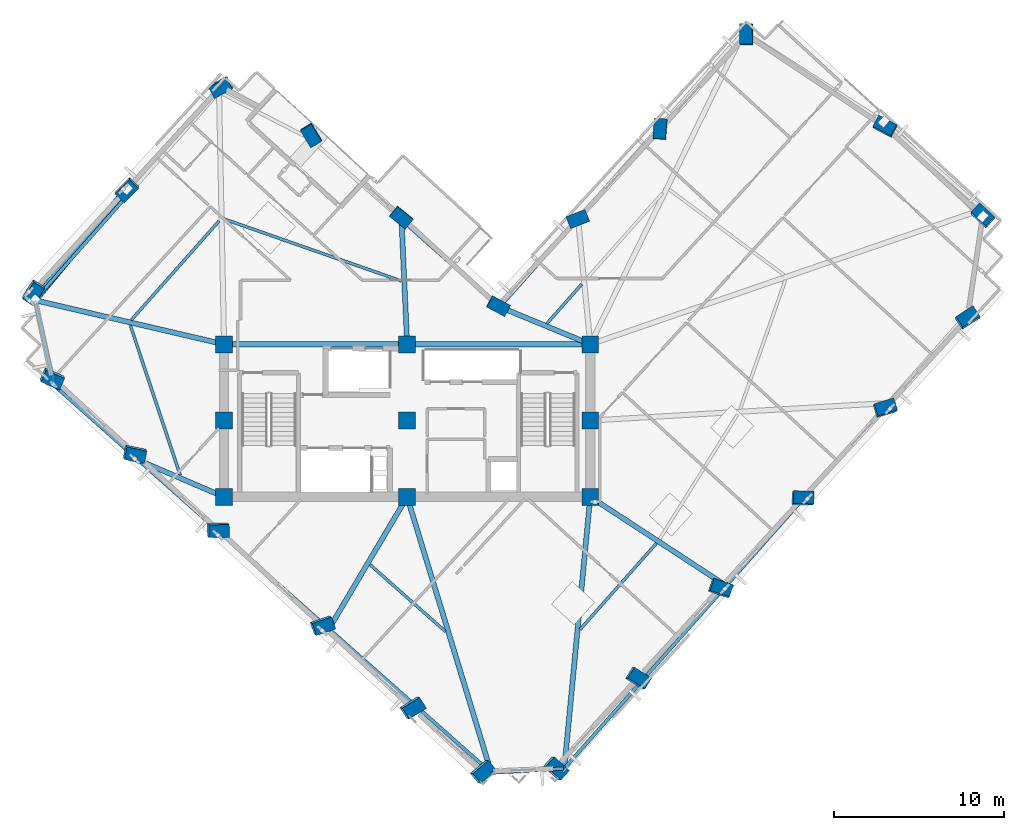
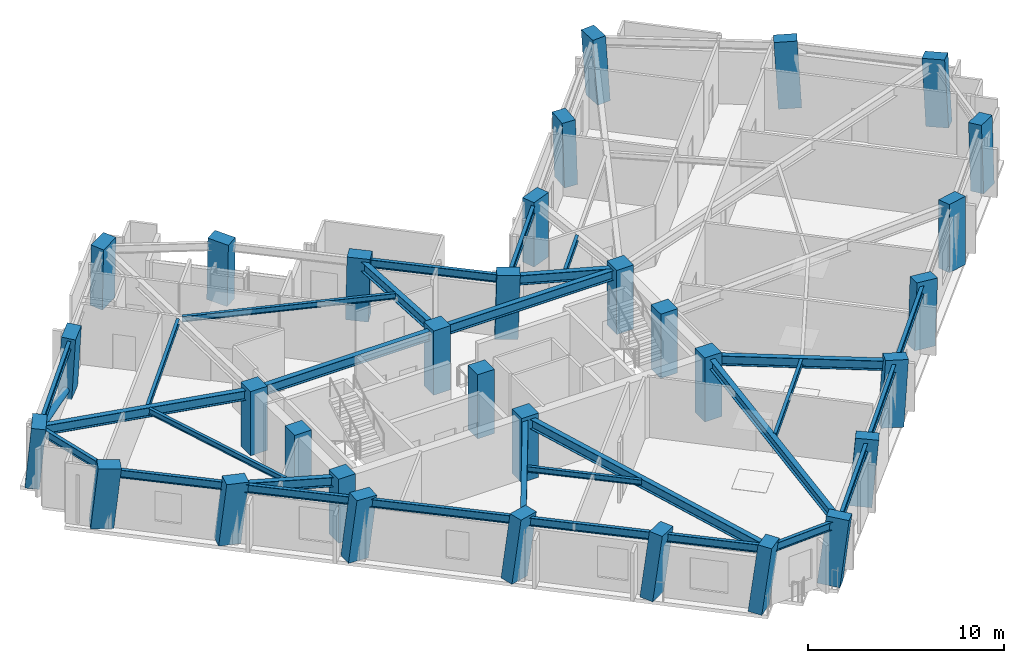
# One storey, part 1 of 12: 32 columns, 29 beams, 1 member.
"""IFC4 building model written with IfcOpenShell, lengths in metres."""

from ifc_helpers import new_model, si_unit, direction, frame, origin, origin_2d, place, context, subcontext, project, spatial, rectangle, hollow_circle, i_section, extrude, material, material_profile, profile_set, type_object, element, save


model = new_model("IFC4")

# Units and contexts
model_context = context("Model", 3, precision=1e-05, world=origin(), true_north=direction((0.0, 1.0)))
body_context = subcontext(model_context, "Body", "Model", "MODEL_VIEW")
ifc_project = project(units=[si_unit("LENGTHUNIT", "METRE"), si_unit("AREAUNIT", "SQUARE_METRE"), si_unit("VOLUMEUNIT", "CUBIC_METRE"), si_unit("PLANEANGLEUNIT", "RADIAN"), si_unit("MASSUNIT", "GRAM", prefix="KILO")], contexts=[model_context])

# Site, building, storey
site_placement = place(None, origin())
site = spatial("IfcSite", under=ifc_project, at=site_placement, CompositionType="ELEMENT")
building_placement = place(site_placement, origin())
building = spatial("IfcBuilding", under=site, at=building_placement, Name="Gaonmaruhae Medical Tower", CompositionType="ELEMENT")
storey_placement = place(building_placement, frame((0.0, 0.0, 227.199951171875)))
storey = spatial("IfcBuildingStorey", under=building, at=storey_placement, Name="L54", CompositionType="ELEMENT", Elevation=227.199951171875)

# Columns
ifc_material_1 = material(Name="Concrete C50/60", Category="concrete")
ifc_material_profile_1 = material_profile(ifc_material_1, rectangle(XDim=1.0, YDim=1.0, at=origin_2d()), Name="RC-1000x1000")
ifc_profile_set_1 = profile_set([ifc_material_profile_1], Name="Concrete C50/60")
column_type_1 = type_object("IfcColumnType", Name="CC-05 Zone 4 Core Column (RC-1000x1000)", PredefinedType="COLUMN", material=ifc_profile_set_1)
for number, where, z_axis, x_axis, name in (
    (1, (14.0, 7.800048828125, 0.0), (0.0, 0.0, 1.0), (1.0, 0.0, 0.0), "L54 Plumb Core Column CC11"),
    (2, (14.0, 12.300048828125, 0.0), (0.0, 0.0, 1.0), (1.0, 0.0, 0.0), "L54 Plumb Core Column CC12"),
    (3, (14.0, 16.800048828125, 0.0), (0.0, 0.0, 1.0), (1.0, 0.0, 0.0), "L54 Plumb Core Column CC13"),
    (4, (24.800048828125, 7.800048828125, 0.0), (0.0, 0.0, 1.0), (1.0, 0.0, 0.0), "L54 Plumb Core Column CC21"),
    (5, (24.800048828125, 12.300048828125, 0.0), (0.0, 0.0, 1.0), (1.0, 0.0, 0.0), "L54 Plumb Core Column CC22"),
    (6, (24.800048828125, 16.800048828125, 0.0), (0.0, 0.0, 1.0), (1.0, 0.0, 0.0), "L54 Plumb Core Column CC23"),
    (7, (35.60009765625, 7.800048828125, 0.0), (0.0, 0.0, 1.0), (1.0, 0.0, 0.0), "L54 Plumb Core Column CC31"),
    (8, (35.60009765625, 12.300048828125, 0.0), (0.0, 0.0, 1.0), (1.0, 0.0, 0.0), "L54 Plumb Core Column CC32"),
    (9, (35.60009765625, 16.800048828125, 0.0), (0.0, 0.0, 1.0), (1.0, 0.0, 0.0), "L54 Plumb Core Column CC33"),
):
    element("IfcColumn", number, at=place(storey_placement, frame(where, z_axis=z_axis, x_axis=x_axis)), inside=storey, type_object=column_type_1, Name=name, PredefinedType="COLUMN", context=body_context, shape_type="SweptSolid", body=[
        extrude(rectangle(XDim=1.0, YDim=1.0, at=origin_2d()), origin(), (0.0, 0.0, 1.0), 4.0),
    ])
ifc_material_profile_2 = material_profile(ifc_material_1, rectangle(XDim=1.199951171875, YDim=0.75, at=origin_2d()), Name="RC-1200x750")
ifc_profile_set_2 = profile_set([ifc_material_profile_2], Name="Concrete C50/60")
column_type_2 = type_object("IfcColumnType", Name="TC-03 Upper Raking Tube Pier Column (RC-1200x750)", PredefinedType="COLUMN", material=ifc_profile_set_2)
column_1_placement = place(storey_placement, frame((33.520263671875, -8.221435546875, 0.001953125), z_axis=(0.135639834662, 0.000786844199, 0.990757899857), x_axis=(-0.734370076082, 0.671341507419, 0.10000585869)))
element("IfcColumn", 10, at=column_1_placement, inside=storey, type_object=column_type_2, Name="L54 Perimeter Tube Column S01", PredefinedType="COLUMN", context=body_context, shape_type="SweptSolid", body=[
    extrude(rectangle(XDim=1.199951171875, YDim=0.75, at=origin_2d()), origin(), (0.0, 0.0, 1.0), 4.03369140625),
])
column_2_placement = place(storey_placement, frame((38.384521484375, -2.9130859375, 0.001953125), z_axis=(0.113897205818, 0.020631353212, 0.993278296235), x_axis=(-0.841011894352, 0.534243403576, 0.085340373174)))
element("IfcColumn", 11, at=column_2_placement, inside=storey, type_object=column_type_2, Name="L54 Perimeter Tube Column S02", PredefinedType="COLUMN", context=body_context, shape_type="SweptSolid", body=[
    extrude(rectangle(XDim=1.199951171875, YDim=0.75, at=origin_2d()), origin(), (0.0, 0.0, 1.0), 4.0234375),
])
column_3_placement = place(storey_placement, frame((43.248779296875, 2.3955078125, 0.001953125), z_axis=(0.092023085665, 0.040541214094, 0.994931234641), x_axis=(-0.943656668386, 0.322514372783, 0.074138866717)))
element("IfcColumn", 12, at=column_3_placement, inside=storey, type_object=column_type_2, Name="L54 Perimeter Tube Column S03", PredefinedType="COLUMN", context=body_context, shape_type="SweptSolid", body=[
    extrude(rectangle(XDim=1.199951171875, YDim=0.75, at=origin_2d()), origin(), (0.0, 0.0, 1.0), 4.0166015625),
])
column_4_placement = place(storey_placement, frame((48.11279296875, 7.703857421875, 0.001953125), z_axis=(0.070074846403, 0.060463886566, 0.995707604833), x_axis=(-0.997158195754, 0.031922497076, 0.068238455582)))
element("IfcColumn", 13, at=column_4_placement, inside=storey, type_object=column_type_2, Name="L54 Perimeter Tube Column S04", PredefinedType="COLUMN", context=body_context, shape_type="SweptSolid", body=[
    extrude(rectangle(XDim=1.199951171875, YDim=0.75, at=origin_2d()), origin(), (0.0, 0.0, 1.0), 4.013671875),
])
column_5_placement = place(storey_placement, frame((52.97705078125, 13.01220703125, 0.001953125), z_axis=(0.047989081714, 0.080407561502, 0.995606183232), x_axis=(-0.956311257313, -0.284081872205, 0.069038170754)))
element("IfcColumn", 14, at=column_5_placement, inside=storey, type_object=column_type_2, Name="L54 Perimeter Tube Column S05", PredefinedType="COLUMN", context=body_context, shape_type="SweptSolid", body=[
    extrude(rectangle(XDim=1.199951171875, YDim=0.75, at=origin_2d()), origin(), (0.0, 0.0, 1.0), 4.013916015625),
])
column_6_placement = place(storey_placement, frame((57.84130859375, 18.32080078125, 0.001953125), z_axis=(0.025885225997, 0.100138151274, 0.994636770753), x_axis=(-0.837618446054, -0.540906931878, 0.076256343195)))
element("IfcColumn", 15, at=column_6_placement, inside=storey, type_object=column_type_2, Name="L54 Perimeter Tube Column S06", PredefinedType="COLUMN", context=body_context, shape_type="SweptSolid", body=[
    extrude(rectangle(XDim=1.199951171875, YDim=0.75, at=origin_2d()), origin(), (0.0, 0.0, 1.0), 4.017822265625),
])
column_7_placement = place(storey_placement, frame((58.746337890625, 24.341064453125, 0.001953125), z_axis=(0.001032953055, 0.103659877118, 0.994612267612), x_axis=(0.730545196332, -0.679263427848, 0.07003507481)))
element("IfcColumn", 16, at=column_7_placement, inside=storey, type_object=column_type_2, Name="L54 Perimeter Tube Column E01", PredefinedType="COLUMN", context=body_context, shape_type="SweptSolid", body=[
    extrude(rectangle(XDim=1.199951171875, YDim=0.75, at=origin_2d()), origin(), (0.0, 0.0, 1.0), 4.01806640625),
])
column_8_placement = place(storey_placement, frame((52.995361328125, 29.610595703125, 0.001953125), z_axis=(-0.020517462965, 0.079938958081, 0.996588579452), x_axis=(0.881513138055, -0.468855845143, 0.05575646968)))
element("IfcColumn", 17, at=column_8_placement, inside=storey, type_object=column_type_2, Name="L54 Perimeter Tube Column E02", PredefinedType="COLUMN", context=body_context, shape_type="SweptSolid", body=[
    extrude(rectangle(XDim=1.199951171875, YDim=0.75, at=origin_2d()), origin(), (0.0, 0.0, 1.0), 4.010009765625),
])
column_9_placement = place(storey_placement, frame((44.830322265625, 35.057861328125, 0.001953125), z_axis=(-0.042801019113, 0.046093405199, 0.998019774734), x_axis=(0.005619625487, -0.9989082731, 0.046375443311)))
element("IfcColumn", 18, at=column_9_placement, inside=storey, type_object=column_type_2, Name="L54 Perimeter Tube Column E03", PredefinedType="COLUMN", context=body_context, shape_type="SweptSolid", body=[
    extrude(rectangle(XDim=1.199951171875, YDim=0.75, at=origin_2d()), origin(), (0.0, 0.0, 1.0), 4.004150390625),
])
column_10_placement = place(storey_placement, frame((39.729736328125, 29.4912109375, 0.001953125), z_axis=(-0.019661240115, 0.02527873729, 0.999487078995), x_axis=(-0.080866298799, -0.996445261774, 0.023611056886)))
element("IfcColumn", 19, at=column_10_placement, inside=storey, type_object=column_type_2, Name="L54 Perimeter Tube Column EN01", PredefinedType="COLUMN", context=body_context, shape_type="SweptSolid", body=[
    extrude(rectangle(XDim=1.199951171875, YDim=0.75, at=origin_2d()), origin(), (0.0, 0.0, 1.0), 3.998291015625),
])
column_11_placement = place(storey_placement, frame((34.865478515625, 24.182861328125, 0.001953125), z_axis=(0.002565781789, 0.005253743664, 0.999982907325), x_axis=(-0.930601204641, -0.366009310919, 0.004310712404)))
element("IfcColumn", 20, at=column_11_placement, inside=storey, type_object=column_type_2, Name="L54 Perimeter Tube Column EN02", PredefinedType="COLUMN", context=body_context, shape_type="SweptSolid", body=[
    extrude(rectangle(XDim=1.199951171875, YDim=0.75, at=origin_2d()), origin(), (0.0, 0.0, 1.0), 3.996337890625),
])
column_12_placement = place(storey_placement, frame((30.170166015625, 19.058837890625, 0.001953125), z_axis=(0.023938480459, -0.014045537004, 0.999614761818), x_axis=(-0.883420388309, 0.467760147115, 0.027728366183)))
element("IfcColumn", 21, at=column_12_placement, inside=storey, type_object=column_type_2, Name="L54 Perimeter Tube Column KN01", PredefinedType="COLUMN", context=body_context, shape_type="SweptSolid", body=[
    extrude(rectangle(XDim=1.199951171875, YDim=0.75, at=origin_2d()), origin(), (0.0, 0.0, 1.0), 3.997802734375),
])
column_13_placement = place(storey_placement, frame((24.456298828125, 24.29443359375, 0.001953125), z_axis=(0.002380838437, -0.037849226437, 0.999280625083), x_axis=(-0.77820548116, 0.627486882755, 0.025621105814)))
element("IfcColumn", 22, at=column_13_placement, inside=storey, type_object=column_type_2, Name="L54 Perimeter Tube Column NE01", PredefinedType="COLUMN", context=body_context, shape_type="SweptSolid", body=[
    extrude(rectangle(XDim=1.199951171875, YDim=0.75, at=origin_2d()), origin(), (0.0, 0.0, 1.0), 3.999267578125),
])
column_14_placement = place(storey_placement, frame((19.14794921875, 29.15869140625, 0.001953125), z_axis=(-0.017559885528, -0.05993530373, 0.99804779935), x_axis=(-0.517956393687, 0.854365763915, 0.042193787314)))
element("IfcColumn", 23, at=column_14_placement, inside=storey, type_object=column_type_2, Name="L54 Perimeter Tube Column NE02", PredefinedType="COLUMN", context=body_context, shape_type="SweptSolid", body=[
    extrude(rectangle(XDim=1.199951171875, YDim=0.75, at=origin_2d()), origin(), (0.0, 0.0, 1.0), 4.004150390625),
])
column_15_placement = place(storey_placement, frame((13.8212890625, 32.0048828125, 0.001953125), z_axis=(-0.029030187648, -0.08191746871, 0.996216229804), x_axis=(0.882126181469, 0.466634369532, 0.064076244728)))
element("IfcColumn", 24, at=column_15_placement, inside=storey, type_object=column_type_2, Name="L54 Perimeter Tube Column N01", PredefinedType="COLUMN", context=body_context, shape_type="SweptSolid", body=[
    extrude(rectangle(XDim=1.199951171875, YDim=0.75, at=origin_2d()), origin(), (0.0, 0.0, 1.0), 4.011474609375),
])
column_16_placement = place(storey_placement, frame((8.281494140625, 25.959228515625, 0.001953125), z_axis=(-0.003888442193, -0.104380370131, 0.994529847892), x_axis=(0.702418254879, 0.707586004086, 0.07701066182)))
element("IfcColumn", 25, at=column_16_placement, inside=storey, type_object=column_type_2, Name="L54 Perimeter Tube Column N02", PredefinedType="COLUMN", context=body_context, shape_type="SweptSolid", body=[
    extrude(rectangle(XDim=1.199951171875, YDim=0.75, at=origin_2d()), origin(), (0.0, 0.0, 1.0), 4.018310546875),
])
column_17_placement = place(storey_placement, frame((2.74169921875, 19.91357421875, 0.001953125), z_axis=(0.021144206499, -0.12668348364, 0.991717811428), x_axis=(0.546000647433, 0.832416092269, 0.094692884292)))
element("IfcColumn", 26, at=column_17_placement, inside=storey, type_object=column_type_2, Name="L54 Perimeter Tube Column N03", PredefinedType="COLUMN", context=body_context, shape_type="SweptSolid", body=[
    extrude(rectangle(XDim=1.199951171875, YDim=0.75, at=origin_2d()), origin(), (0.0, 0.0, 1.0), 4.02978515625),
])
column_18_placement = place(storey_placement, frame((3.848388671875, 14.83056640625, 0.001953125), z_axis=(0.042043007584, -0.121948954273, 0.991645520368), x_axis=(-0.915374160326, 0.393059365616, 0.087146323554)))
element("IfcColumn", 27, at=column_18_placement, inside=storey, type_object=column_type_2, Name="L54 Perimeter Tube Column W01", PredefinedType="COLUMN", context=body_context, shape_type="SweptSolid", body=[
    extrude(rectangle(XDim=1.199951171875, YDim=0.75, at=origin_2d()), origin(), (0.0, 0.0, 1.0), 4.030029296875),
])
column_19_placement = place(storey_placement, frame((8.714599609375, 10.37158203125, 0.001953125), z_axis=(0.060236868527, -0.101911318354, 0.992968077463), x_axis=(-0.976041693213, 0.202351506384, 0.07997800306)))
element("IfcColumn", 28, at=column_19_placement, inside=storey, type_object=column_type_2, Name="L54 Perimeter Tube Column W02", PredefinedType="COLUMN", context=body_context, shape_type="SweptSolid", body=[
    extrude(rectangle(XDim=1.199951171875, YDim=0.75, at=origin_2d()), origin(), (0.0, 0.0, 1.0), 4.024658203125),
])
column_20_placement = place(storey_placement, frame((13.617431640625, 5.87890625, 0.001953125), z_axis=(0.078603281335, -0.081638157062, 0.993557615579), x_axis=(-0.996676276497, -0.027828937026, 0.076563373313)))
element("IfcColumn", 29, at=column_20_placement, inside=storey, type_object=column_type_2, Name="L54 Perimeter Tube Column W03", PredefinedType="COLUMN", context=body_context, shape_type="SweptSolid", body=[
    extrude(rectangle(XDim=1.199951171875, YDim=0.75, at=origin_2d()), origin(), (0.0, 0.0, 1.0), 4.022216796875),
])
column_21_placement = place(storey_placement, frame((19.77392578125, 0.23779296875, 0.001953125), z_axis=(0.10157583487, -0.056066948279, 0.993246619466), x_axis=(-0.943759727781, -0.321206488338, 0.078383468085)))
element("IfcColumn", 30, at=column_21_placement, inside=storey, type_object=column_type_2, Name="L54 Perimeter Tube Column W04", PredefinedType="COLUMN", context=body_context, shape_type="SweptSolid", body=[
    extrude(rectangle(XDim=1.199951171875, YDim=0.75, at=origin_2d()), origin(), (0.0, 0.0, 1.0), 4.0234375),
])
column_22_placement = place(storey_placement, frame((25.082275390625, -4.62646484375, 0.001953125), z_axis=(0.121269858033, -0.03399919558, 0.992037134503), x_axis=(-0.844357232352, -0.528981047482, 0.085087693463)))
element("IfcColumn", 31, at=column_22_placement, inside=storey, type_object=column_type_2, Name="L54 Perimeter Tube Column W05", PredefinedType="COLUMN", context=body_context, shape_type="SweptSolid", body=[
    extrude(rectangle(XDim=1.199951171875, YDim=0.75, at=origin_2d()), origin(), (0.0, 0.0, 1.0), 4.0283203125),
])
column_23_placement = place(storey_placement, frame((29.2109375, -8.40966796875, 0.001953125), z_axis=(0.136511447379, -0.016882399742, 0.990494628614), x_axis=(-0.754599073465, -0.649572592813, 0.092928386361)))
element("IfcColumn", 32, at=column_23_placement, inside=storey, type_object=column_type_2, Name="L54 Perimeter Tube Column W06", PredefinedType="COLUMN", context=body_context, shape_type="SweptSolid", body=[
    extrude(rectangle(XDim=1.199951171875, YDim=0.75, at=origin_2d()), origin(), (0.0, 0.0, 1.0), 4.03466796875),
])

# Beams
ifc_material_2 = material(Name="Steel SM355", Category="steel")
ifc_material_profile_3 = material_profile(ifc_material_2, i_section(OverallWidth=0.175048828125, OverallDepth=0.35009765625, WebThickness=0.007080078125, FlangeThickness=0.010986328125, FilletRadius=0.012939453125, at=origin_2d()), Name="H-350x175x7x11")
ifc_profile_set_3 = profile_set([ifc_material_profile_3], Name="Steel SM355")
beam_type_1 = type_object("IfcBeamType", Name="FJ-02 Upper Zone Ward Floor Joist (H-350x175x7x11)", PredefinedType="JOIST", material=ifc_profile_set_3)
beam_1_placement = place(storey_placement, frame((35.006591796875, -0.013916015625, 3.60498046875), z_axis=(0.663292851922, 0.748359935184, 0.0), x_axis=(-0.748359935184, 0.663292851922, 0.0)))
element("IfcBeam", 33, at=beam_1_placement, inside=storey, type_object=beam_type_1, Name="L54 Secondary Floor Joist FJ01", PredefinedType="JOIST", context=body_context, shape_type="SweptSolid", body=[
    extrude(i_section(OverallWidth=0.175048828125, OverallDepth=0.35009765625, WebThickness=0.007080078125, FlangeThickness=0.010986328125, FilletRadius=0.012939453125, at=origin_2d()), origin(), (0.0, 0.0, 1.0), 6.78173828125),
])
beam_2_placement = place(storey_placement, frame((35.09814453125, 20.34423828125, 3.60498046875), z_axis=(-0.663292476325, -0.748360268087, 0.0), x_axis=(0.748360268087, -0.663292476325, 0.0)))
element("IfcBeam", 34, at=beam_2_placement, inside=storey, type_object=beam_type_1, Name="L54 Secondary Floor Joist FJ06", PredefinedType="JOIST", context=body_context, shape_type="SweptSolid", body=[
    extrude(i_section(OverallWidth=0.175048828125, OverallDepth=0.35009765625, WebThickness=0.007080078125, FlangeThickness=0.010986328125, FilletRadius=0.012939453125, at=origin_2d()), origin(), (0.0, 0.0, 1.0), 3.099609375),
])
beam_3_placement = place(storey_placement, frame((24.474853515625, 20.52685546875, 3.60498046875), z_axis=(-0.944042234015, 0.329824590344, 0.0), x_axis=(-0.329824590344, -0.944042234015, 0.0)))
element("IfcBeam", 35, at=beam_3_placement, inside=storey, type_object=beam_type_1, Name="L54 Secondary Floor Joist FJ08", PredefinedType="JOIST", context=body_context, shape_type="SweptSolid", body=[
    extrude(i_section(OverallWidth=0.175048828125, OverallDepth=0.35009765625, WebThickness=0.007080078125, FlangeThickness=0.010986328125, FilletRadius=0.012939453125, at=origin_2d()), origin(), (0.0, 0.0, 1.0), 11.086181640625),
])
beam_4_placement = place(storey_placement, frame((13.70166015625, 24.068115234375, 3.60498046875), z_axis=(-0.663266858164, -0.748382973391, 0.0), x_axis=(0.748382973391, -0.663266858164, 0.0)))
element("IfcBeam", 36, at=beam_4_placement, inside=storey, type_object=beam_type_1, Name="L54 Secondary Floor Joist FJ09", PredefinedType="JOIST", context=body_context, shape_type="SweptSolid", body=[
    extrude(i_section(OverallWidth=0.175048828125, OverallDepth=0.35009765625, WebThickness=0.007080078125, FlangeThickness=0.010986328125, FilletRadius=0.012939453125, at=origin_2d()), origin(), (0.0, 0.0, 1.0), 7.796142578125),
])
beam_5_placement = place(storey_placement, frame((8.470947265625, 17.9287109375, 3.60498046875), z_axis=(0.315426785461, -0.948949915967, 0.0), x_axis=(0.948949915967, 0.315426785461, 0.0)))
element("IfcBeam", 37, at=beam_5_placement, inside=storey, type_object=beam_type_1, Name="L54 Secondary Floor Joist FJ10", PredefinedType="JOIST", context=body_context, shape_type="SweptSolid", body=[
    extrude(i_section(OverallWidth=0.175048828125, OverallDepth=0.35009765625, WebThickness=0.007080078125, FlangeThickness=0.010986328125, FilletRadius=0.012939453125, at=origin_2d()), origin(), (0.0, 0.0, 1.0), 9.328369140625),
])
beam_6_placement = place(storey_placement, frame((22.610107421875, 3.80078125, 3.60498046875), z_axis=(0.748368701916, -0.663282960728, 0.0), x_axis=(0.663282960728, 0.748368701916, 0.0)))
element("IfcBeam", 38, at=beam_6_placement, inside=storey, type_object=beam_type_1, Name="L54 Secondary Floor Joist FJ12", PredefinedType="JOIST", context=body_context, shape_type="SweptSolid", body=[
    extrude(i_section(OverallWidth=0.175048828125, OverallDepth=0.35009765625, WebThickness=0.007080078125, FlangeThickness=0.010986328125, FilletRadius=0.012939453125, at=origin_2d()), origin(), (0.0, 0.0, 1.0), 5.9482421875),
])

# Member
ifc_material_3 = material(Name="Steel SM420", Category="steel")
ifc_material_profile_4 = material_profile(ifc_material_3, hollow_circle(Radius=0.203125, WallThickness=0.0126953125, at=origin_2d()), Name="CHS-406.4x12.7")
ifc_profile_set_4 = profile_set([ifc_material_profile_4], Name="Steel SM420")
member_type = type_object("IfcMemberType", Name="PB-02 Perimeter Solid-Bay Tube Brace Mid (CHS-406.4x12.7)", PredefinedType="BRACE", material=ifc_profile_set_4)
member_placement = place(storey_placement, frame((8.281494140625, 25.95947265625, 0.25), z_axis=(-0.596904129832, -0.717535352525, 0.358954701414), x_axis=(0.768770046124, -0.639525305349, 0.0)))
element("IfcMember", 39, at=member_placement, inside=storey, type_object=member_type, Name="L54 Perimeter Tube Solid-Bay Brace N02-N03", PredefinedType="BRACE", context=body_context, shape_type="SweptSolid", body=[
    extrude(hollow_circle(Radius=0.203125, WallThickness=0.0126953125, at=origin_2d()), origin(), (0.0, 0.0, 1.0), 9.1376953125),
])

# Beams
ifc_material_profile_5 = material_profile(ifc_material_3, i_section(OverallWidth=0.300048828125, OverallDepth=0.60009765625, WebThickness=0.011962890625, FlangeThickness=0.02001953125, FilletRadius=0.012939453125, at=origin_2d()), Name="H-600x300x12x20")
ifc_profile_set_5 = profile_set([ifc_material_profile_5], Name="Steel SM420")
beam_type_2 = type_object("IfcBeamType", Name="PG-04 Zone 4 Radial Floor Girder (H-600x300x12x20)", PredefinedType="BEAM", material=ifc_profile_set_5)
for number, where, z_axis, x_axis, name in (
    (40, (14.050048828125, 16.800048828125, 3.47998046875), (1.0, 0.0, 0.0), (0.0, 1.0, 0.0), "L54 Beam BM-L54-CG-N1"),
    (41, (24.85009765625, 16.800048828125, 3.47998046875), (1.0, 0.0, 0.0), (0.0, 1.0, 0.0), "L54 Beam BM-L54-CG-N2"),
):
    element("IfcBeam", number, at=place(storey_placement, frame(where, z_axis=z_axis, x_axis=x_axis)), inside=storey, type_object=beam_type_2, Name=name, PredefinedType="BEAM", context=body_context, shape_type="SweptSolid", body=[
        extrude(i_section(OverallWidth=0.300048828125, OverallDepth=0.60009765625, WebThickness=0.011962890625, FlangeThickness=0.02001953125, FilletRadius=0.012939453125, at=origin_2d()), origin(), (0.0, 0.0, 1.0), 10.699951171875),
    ])
beam_7_placement = place(storey_placement, frame((35.59521484375, 7.750244140625, 3.47998046875), z_axis=(-0.095235599546, -0.995454760689, 0.0), x_axis=(0.995454760689, -0.095235599546, 0.0)))
element("IfcBeam", 42, at=beam_7_placement, inside=storey, type_object=beam_type_2, Name="L54 Radial Primary Girder S01", PredefinedType="BEAM", context=body_context, shape_type="SweptSolid", body=[
    extrude(i_section(OverallWidth=0.300048828125, OverallDepth=0.60009765625, WebThickness=0.011962890625, FlangeThickness=0.02001953125, FilletRadius=0.012939453125, at=origin_2d()), origin(), (0.0, 0.0, 1.0), 15.991455078125),
])
beam_8_placement = place(storey_placement, frame((35.641845703125, 7.772705078125, 3.47998046875), z_axis=(0.837032216922, -0.547153605339, 0.0), x_axis=(0.547153605339, 0.837032216922, 0.0)))
element("IfcBeam", 43, at=beam_8_placement, inside=storey, type_object=beam_type_2, Name="L54 Radial Primary Girder S03", PredefinedType="BEAM", context=body_context, shape_type="SweptSolid", body=[
    extrude(i_section(OverallWidth=0.300048828125, OverallDepth=0.60009765625, WebThickness=0.011962890625, FlangeThickness=0.02001953125, FilletRadius=0.012939453125, at=origin_2d()), origin(), (0.0, 0.0, 1.0), 9.47998046875),
])
beam_9_placement = place(storey_placement, frame((35.5537109375, 16.819091796875, 3.47998046875), z_axis=(-0.924292464228, 0.381685001763, 0.0), x_axis=(-0.381685001763, -0.924292464228, 0.0)))
element("IfcBeam", 44, at=beam_9_placement, inside=storey, type_object=beam_type_2, Name="L54 Radial Primary Girder KN01", PredefinedType="BEAM", context=body_context, shape_type="SweptSolid", body=[
    extrude(i_section(OverallWidth=0.300048828125, OverallDepth=0.60009765625, WebThickness=0.011962890625, FlangeThickness=0.02001953125, FilletRadius=0.012939453125, at=origin_2d()), origin(), (0.0, 0.0, 1.0), 5.671142578125),
])
beam_10_placement = place(storey_placement, frame((24.797607421875, 16.849853515625, 3.47998046875), z_axis=(-0.045422934611, 0.998967845835, 0.0), x_axis=(-0.998967845835, -0.045422934611, 0.0)))
element("IfcBeam", 45, at=beam_10_placement, inside=storey, type_object=beam_type_2, Name="L54 Radial Primary Girder NE01", PredefinedType="BEAM", context=body_context, shape_type="SweptSolid", body=[
    extrude(i_section(OverallWidth=0.300048828125, OverallDepth=0.60009765625, WebThickness=0.011962890625, FlangeThickness=0.02001953125, FilletRadius=0.012939453125, at=origin_2d()), origin(), (0.0, 0.0, 1.0), 7.250732421875),
])
beam_11_placement = place(storey_placement, frame((13.951416015625, 16.811279296875, 3.47998046875), z_axis=(-0.973919061802, 0.226895705246, 0.0), x_axis=(-0.226895705246, -0.973919061802, 0.0)))
element("IfcBeam", 46, at=beam_11_placement, inside=storey, type_object=beam_type_2, Name="L54 Radial Primary Girder N03", PredefinedType="BEAM", context=body_context, shape_type="SweptSolid", body=[
    extrude(i_section(OverallWidth=0.300048828125, OverallDepth=0.60009765625, WebThickness=0.011962890625, FlangeThickness=0.02001953125, FilletRadius=0.012939453125, at=origin_2d()), origin(), (0.0, 0.0, 1.0), 11.372314453125),
])
beam_12_placement = place(storey_placement, frame((13.9541015625, 7.819580078125, 3.47998046875), z_axis=(-0.919145030018, 0.393919298579, 0.0), x_axis=(-0.393919298579, -0.919145030018, 0.0)))
element("IfcBeam", 47, at=beam_12_placement, inside=storey, type_object=beam_type_2, Name="L54 Radial Primary Girder W02", PredefinedType="BEAM", context=body_context, shape_type="SweptSolid", body=[
    extrude(i_section(OverallWidth=0.300048828125, OverallDepth=0.60009765625, WebThickness=0.011962890625, FlangeThickness=0.02001953125, FilletRadius=0.012939453125, at=origin_2d()), origin(), (0.0, 0.0, 1.0), 5.386474609375),
])
beam_13_placement = place(storey_placement, frame((24.7744140625, 7.757080078125, 3.47998046875), z_axis=(-0.509973539072, -0.860190089135, 0.0), x_axis=(0.860190089135, -0.509973539072, 0.0)))
element("IfcBeam", 48, at=beam_13_placement, inside=storey, type_object=beam_type_2, Name="L54 Radial Primary Girder W04", PredefinedType="BEAM", context=body_context, shape_type="SweptSolid", body=[
    extrude(i_section(OverallWidth=0.300048828125, OverallDepth=0.60009765625, WebThickness=0.011962890625, FlangeThickness=0.02001953125, FilletRadius=0.012939453125, at=origin_2d()), origin(), (0.0, 0.0, 1.0), 8.95361328125),
])
beam_14_placement = place(storey_placement, frame((24.814697265625, 7.752197265625, 3.47998046875), z_axis=(0.291573910014, -0.956548302491, 0.0), x_axis=(0.956548302491, 0.291573910014, 0.0)))
element("IfcBeam", 49, at=beam_14_placement, inside=storey, type_object=beam_type_2, Name="L54 Radial Primary Girder W06", PredefinedType="BEAM", context=body_context, shape_type="SweptSolid", body=[
    extrude(i_section(OverallWidth=0.300048828125, OverallDepth=0.60009765625, WebThickness=0.011962890625, FlangeThickness=0.02001953125, FilletRadius=0.012939453125, at=origin_2d()), origin(), (0.0, 0.0, 1.0), 16.917236328125),
])
ifc_material_profile_6 = material_profile(ifc_material_2, i_section(OverallWidth=0.199951171875, OverallDepth=0.5, WebThickness=0.010009765625, FlangeThickness=0.01611328125, FilletRadius=0.012939453125, at=origin_2d()), Name="H-500x200x10x16")
ifc_profile_set_6 = profile_set([ifc_material_profile_6], Name="Steel SM355")
beam_type_3 = type_object("IfcBeamType", Name="SP-02 Upper Perimeter Spandrel Beam (H-500x200x10x16)", PredefinedType="SPANDREL", material=ifc_profile_set_6)
for number, where, z_axis, x_axis, name in (
    (50, (34.093994140625, -8.188232421875, 3.530029296875), (0.663290493524, 0.748362025494, 0.0), (-0.748362025494, 0.663290493524, 0.0), "L54 Perimeter Spandrel Beam S01-S02"),
    (51, (38.86962890625, -2.800048828125, 3.530029296875), (0.663254268799, 0.748394130735, 0.0), (-0.748394130735, 0.663254268799, 0.0), "L54 Perimeter Spandrel Beam S02-S03"),
):
    element("IfcBeam", number, at=place(storey_placement, frame(where, z_axis=z_axis, x_axis=x_axis)), inside=storey, type_object=beam_type_3, Name=name, PredefinedType="SPANDREL", context=body_context, shape_type="SweptSolid", body=[
        extrude(i_section(OverallWidth=0.199951171875, OverallDepth=0.5, WebThickness=0.010009765625, FlangeThickness=0.01611328125, FilletRadius=0.012939453125, at=origin_2d()), origin(), (0.0, 0.0, 1.0), 7.1201171875),
    ])
beam_15_placement = place(storey_placement, frame((43.645263671875, 2.58837890625, 3.530029296875), z_axis=(0.663271289343, 0.748379046162, 0.0), x_axis=(-0.748379046162, 0.663271289343, 0.0)))
element("IfcBeam", 52, at=beam_15_placement, inside=storey, type_object=beam_type_3, Name="L54 Perimeter Spandrel Beam S03-S04", PredefinedType="SPANDREL", context=body_context, shape_type="SweptSolid", body=[
    extrude(i_section(OverallWidth=0.199951171875, OverallDepth=0.5, WebThickness=0.010009765625, FlangeThickness=0.01611328125, FilletRadius=0.012939453125, at=origin_2d()), origin(), (0.0, 0.0, 1.0), 7.119873046875),
])
beam_16_placement = place(storey_placement, frame((34.84912109375, 24.174072265625, 3.530029296875), z_axis=(-0.663269066902, -0.748381015854, 0.0), x_axis=(0.748381015854, -0.663269066902, 0.0)))
element("IfcBeam", 53, at=beam_16_placement, inside=storey, type_object=beam_type_3, Name="L54 Perimeter Spandrel Beam EN02-KN01", PredefinedType="SPANDREL", context=body_context, shape_type="SweptSolid", body=[
    extrude(i_section(OverallWidth=0.199951171875, OverallDepth=0.5, WebThickness=0.010009765625, FlangeThickness=0.01611328125, FilletRadius=0.012939453125, at=origin_2d()), origin(), (0.0, 0.0, 1.0), 6.869873046875),
])
beam_17_placement = place(storey_placement, frame((30.23583984375, 19.029296875, 3.530029296875), z_axis=(-0.748383207439, 0.66326659408, 0.0), x_axis=(-0.66326659408, -0.748383207439, 0.0)))
element("IfcBeam", 54, at=beam_17_placement, inside=storey, type_object=beam_type_3, Name="L54 Perimeter Spandrel Beam KN01-NE01", PredefinedType="SPANDREL", context=body_context, shape_type="SweptSolid", body=[
    extrude(i_section(OverallWidth=0.199951171875, OverallDepth=0.5, WebThickness=0.010009765625, FlangeThickness=0.01611328125, FilletRadius=0.012939453125, at=origin_2d()), origin(), (0.0, 0.0, 1.0), 7.669921875),
])
beam_18_placement = place(storey_placement, frame((8.2392578125, 25.509521484375, 3.530029296875), z_axis=(-0.663280725711, -0.748370682817, 0.0), x_axis=(0.748370682817, -0.663280725711, 0.0)))
element("IfcBeam", 55, at=beam_18_placement, inside=storey, type_object=beam_type_3, Name="L54 Perimeter Spandrel Beam N02-N03", PredefinedType="SPANDREL", context=body_context, shape_type="SweptSolid", body=[
    extrude(i_section(OverallWidth=0.199951171875, OverallDepth=0.5, WebThickness=0.010009765625, FlangeThickness=0.01611328125, FilletRadius=0.012939453125, at=origin_2d()), origin(), (0.0, 0.0, 1.0), 8.119873046875),
])
beam_19_placement = place(storey_placement, frame((2.836181640625, 19.364013671875, 3.530029296875), z_axis=(0.228874621854, -0.973455909362, 0.0), x_axis=(0.973455909362, 0.228874621854, 0.0)))
element("IfcBeam", 56, at=beam_19_placement, inside=storey, type_object=beam_type_3, Name="L54 Perimeter Spandrel Beam N03-W01", PredefinedType="SPANDREL", context=body_context, shape_type="SweptSolid", body=[
    extrude(i_section(OverallWidth=0.199951171875, OverallDepth=0.5, WebThickness=0.010009765625, FlangeThickness=0.01611328125, FilletRadius=0.012939453125, at=origin_2d()), origin(), (0.0, 0.0, 1.0), 5.122314453125),
])
beam_20_placement = place(storey_placement, frame((4.0478515625, 14.312255859375, 3.530029296875), z_axis=(0.74838157808, -0.66326843253, 0.0), x_axis=(0.66326843253, 0.74838157808, 0.0)))
element("IfcBeam", 57, at=beam_20_placement, inside=storey, type_object=beam_type_3, Name="L54 Perimeter Spandrel Beam W01-W02", PredefinedType="SPANDREL", context=body_context, shape_type="SweptSolid", body=[
    extrude(i_section(OverallWidth=0.199951171875, OverallDepth=0.5, WebThickness=0.010009765625, FlangeThickness=0.01611328125, FilletRadius=0.012939453125, at=origin_2d()), origin(), (0.0, 0.0, 1.0), 6.52001953125),
])
beam_21_placement = place(storey_placement, frame((8.987060546875, 9.9345703125, 3.530029296875), z_axis=(0.748374188156, -0.663276770664, 0.0), x_axis=(0.663276770664, 0.748374188156, 0.0)))
element("IfcBeam", 58, at=beam_21_placement, inside=storey, type_object=beam_type_3, Name="L54 Perimeter Spandrel Beam W02-W03", PredefinedType="SPANDREL", context=body_context, shape_type="SweptSolid", body=[
    extrude(i_section(OverallWidth=0.199951171875, OverallDepth=0.5, WebThickness=0.010009765625, FlangeThickness=0.01611328125, FilletRadius=0.012939453125, at=origin_2d()), origin(), (0.0, 0.0, 1.0), 6.56982421875),
])
beam_22_placement = place(storey_placement, frame((13.963623046875, 5.52392578125, 3.530029296875), z_axis=(0.748379242884, -0.663271067378, 0.0), x_axis=(0.663271067378, 0.748379242884, 0.0)))
element("IfcBeam", 59, at=beam_22_placement, inside=storey, type_object=beam_type_3, Name="L54 Perimeter Spandrel Beam W03-W04", PredefinedType="SPANDREL", context=body_context, shape_type="SweptSolid", body=[
    extrude(i_section(OverallWidth=0.199951171875, OverallDepth=0.5, WebThickness=0.010009765625, FlangeThickness=0.01611328125, FilletRadius=0.012939453125, at=origin_2d()), origin(), (0.0, 0.0, 1.0), 8.270263671875),
])
beam_23_placement = place(storey_placement, frame((20.212646484375, -0.014404296875, 3.530029296875), z_axis=(0.748377110598, -0.663273473262, 0.0), x_axis=(0.663273473262, 0.748377110598, 0.0)))
element("IfcBeam", 60, at=beam_23_placement, inside=storey, type_object=beam_type_3, Name="L54 Perimeter Spandrel Beam W04-W05", PredefinedType="SPANDREL", context=body_context, shape_type="SweptSolid", body=[
    extrude(i_section(OverallWidth=0.199951171875, OverallDepth=0.5, WebThickness=0.010009765625, FlangeThickness=0.01611328125, FilletRadius=0.012939453125, at=origin_2d()), origin(), (0.0, 0.0, 1.0), 7.1201171875),
])
beam_24_placement = place(storey_placement, frame((25.60107421875, -4.7900390625, 3.530029296875), z_axis=(0.748374881504, -0.663275988359, 0.0), x_axis=(0.663275988359, 0.748374881504, 0.0)))
element("IfcBeam", 61, at=beam_24_placement, inside=storey, type_object=beam_type_3, Name="L54 Perimeter Spandrel Beam W05-W06", PredefinedType="SPANDREL", context=body_context, shape_type="SweptSolid", body=[
    extrude(i_section(OverallWidth=0.199951171875, OverallDepth=0.5, WebThickness=0.010009765625, FlangeThickness=0.01611328125, FilletRadius=0.012939453125, at=origin_2d()), origin(), (0.0, 0.0, 1.0), 5.519775390625),
])
beam_25_placement = place(storey_placement, frame((29.802001953125, -8.475341796875, 3.530029296875), z_axis=(0.998189227095, 0.060152031654, 0.0), x_axis=(-0.060152031654, 0.998189227095, 0.0)))
element("IfcBeam", 62, at=beam_25_placement, inside=storey, type_object=beam_type_3, Name="L54 Perimeter Spandrel Beam W06-S01", PredefinedType="SPANDREL", context=body_context, shape_type="SweptSolid", body=[
    extrude(i_section(OverallWidth=0.199951171875, OverallDepth=0.5, WebThickness=0.010009765625, FlangeThickness=0.01611328125, FilletRadius=0.012939453125, at=origin_2d()), origin(), (0.0, 0.0, 1.0), 4.233154296875),
])

save(model, "model.ifc")
